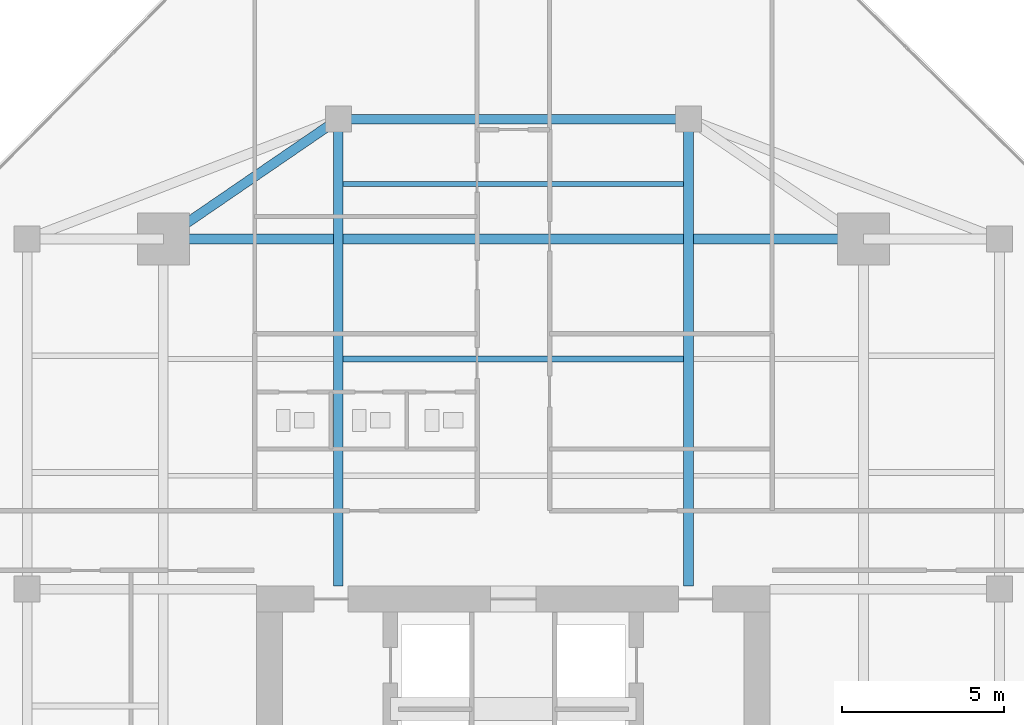
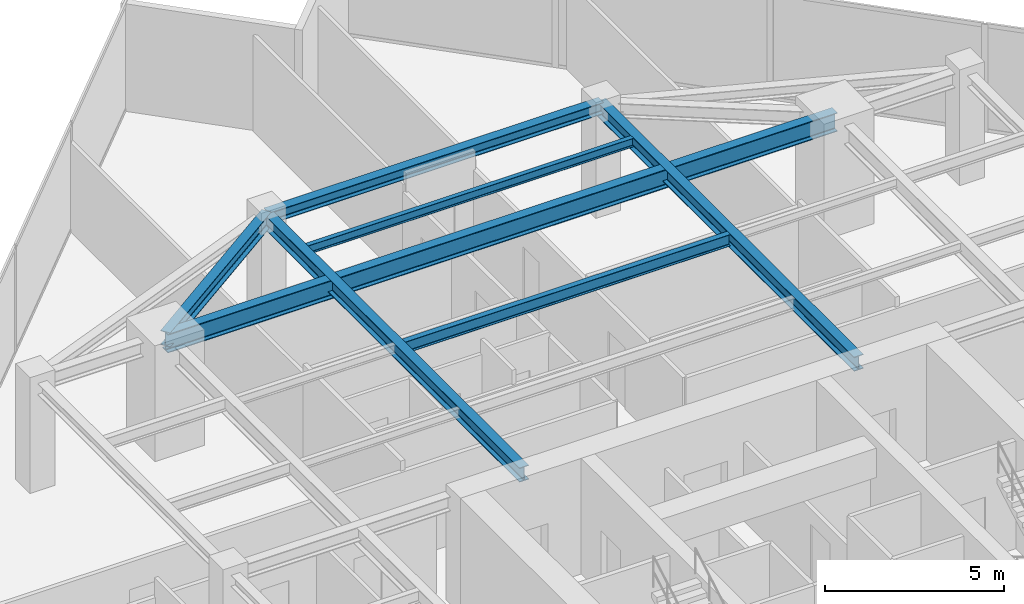
# One storey, part 15 of 24: 7 beams.
"""IFC4 building model written with IfcOpenShell, lengths in metres."""

from ifc_helpers import new_model, si_unit, direction, frame, origin, origin_2d, place, context, subcontext, project, spatial, i_section, extrude, source, transform, mapped, material, material_profile, profile_set, type_object, type_shapes, element, save


model = new_model("IFC4")

# Units and contexts
model_context = context("Model", 3, precision=1e-05, world=origin(), true_north=direction((0.0, 1.0)))
body_context = subcontext(model_context, "Body", "Model", "MODEL_VIEW")
ifc_project = project(units=[si_unit("LENGTHUNIT", "METRE"), si_unit("AREAUNIT", "SQUARE_METRE"), si_unit("VOLUMEUNIT", "CUBIC_METRE"), si_unit("PLANEANGLEUNIT", "RADIAN"), si_unit("MASSUNIT", "GRAM", prefix="KILO")], contexts=[model_context])

# Site, building, storey
site_placement = place(None, origin())
site = spatial("IfcSite", under=ifc_project, at=site_placement, CompositionType="ELEMENT")
building_placement = place(site_placement, origin())
building = spatial("IfcBuilding", under=site, at=building_placement, Name="Krantzveldt Concourse Tower", CompositionType="ELEMENT")
storey_placement = place(building_placement, frame((0.0, 0.0, 231.0)))
storey = spatial("IfcBuildingStorey", under=building, at=storey_placement, Name="L56", CompositionType="ELEMENT", Elevation=231.0)

# Beams
ifc_material = material(Name="Steel S355JR", Category="steel")
ifc_material_profile_1 = material_profile(ifc_material, i_section(OverallWidth=0.300048828125, OverallDepth=0.639892578125, WebThickness=0.013427734375, FlangeThickness=0.02587890625, FilletRadius=0.027099609375, at=origin_2d()), Name="Steel S355JR", Category="steel")
ifc_profile_set_1 = profile_set([ifc_material_profile_1], Name="Steel S355JR - HEA 650")
beam_type_1 = type_object("IfcBeamType", Name="BM-B-HEA650", PredefinedType="BEAM", material=ifc_profile_set_1)
shared_shape_1 = source(origin(), body_context, "Body", "SweptSolid", [
    extrude(i_section(OverallWidth=0.300048828125, OverallDepth=0.639892578125, WebThickness=0.013427734375, FlangeThickness=0.02587890625, FilletRadius=0.027099609375, at=origin_2d()), origin(), (0.0, 0.0, 1.0), 21.60009765625),
])
type_shapes(beam_type_1, [shared_shape_1])
beam_1_placement = place(storey_placement, frame((25.199951171875, 37.5, 3.35009765625), z_axis=(1.0, 0.0, 0.0), x_axis=(0.0, 1.0, 0.0)))
element("IfcBeam", 1, at=beam_1_placement, inside=storey, type_object=beam_type_1, Name="L56 Tower Girder BG-MN", PredefinedType="BEAM", context=body_context, shape_type="MappedRepresentation", body=[
    mapped(shared_shape_1, transform((0.0, 0.0, 0.0), x_axis=(1.0, 0.0, 0.0), y_axis=(0.0, 1.0, 0.0), z_axis=(0.0, 0.0, 1.0), scale=1.0)),
])
ifc_material_profile_2 = material_profile(ifc_material, i_section(OverallWidth=0.179931640625, OverallDepth=0.39990234375, WebThickness=0.008544921875, FlangeThickness=0.013427734375, FilletRadius=0.02099609375, at=origin_2d()), Name="Steel S355JR", Category="steel")
ifc_profile_set_2 = profile_set([ifc_material_profile_2], Name="Steel S355JR - IPE 400")
beam_type_2 = type_object("IfcBeamType", Name="BM-J-IPE400", PredefinedType="JOIST", material=ifc_profile_set_2)
shared_shape_2 = source(origin(), body_context, "Body", "SweptSolid", [
    extrude(i_section(OverallWidth=0.179931640625, OverallDepth=0.39990234375, WebThickness=0.008544921875, FlangeThickness=0.013427734375, FilletRadius=0.02099609375, at=origin_2d()), origin(), (0.0, 0.0, 1.0), 10.5),
])
type_shapes(beam_type_2, [shared_shape_2])
beam_2_placement = place(storey_placement, frame((30.75, 33.800048828125, 3.469970703125), z_axis=(1.0, 0.0, 0.0), x_axis=(0.0, 1.0, 0.0)))
element("IfcBeam", 2, at=beam_2_placement, inside=storey, type_object=beam_type_2, Name="L56 Secondary Floor Joist JN-C2", PredefinedType="JOIST", context=body_context, shape_type="MappedRepresentation", body=[
    mapped(shared_shape_2, transform((0.0, 0.0, 0.0), x_axis=(1.0, 0.0, 0.0), y_axis=(0.0, 1.0, 0.0), z_axis=(0.0, 0.0, 1.0), scale=1.0)),
])
ifc_material_profile_3 = material_profile(ifc_material, i_section(OverallWidth=0.300048828125, OverallDepth=0.389892578125, WebThickness=0.010986328125, FlangeThickness=0.01904296875, FilletRadius=0.027099609375, at=origin_2d()), Name="Steel S355JR", Category="steel")
ifc_profile_set_3 = profile_set([ifc_material_profile_3], Name="Steel S355JR - HEA 400")
beam_type_3 = type_object("IfcBeamType", Name="BM-SP-HEA400", PredefinedType="SPANDREL", material=ifc_profile_set_3)
shared_shape_3 = source(origin(), body_context, "Body", "SweptSolid", [
    extrude(i_section(OverallWidth=0.300048828125, OverallDepth=0.389892578125, WebThickness=0.010986328125, FlangeThickness=0.01904296875, FilletRadius=0.027099609375, at=origin_2d()), origin(), (0.0, 0.0, 1.0), 10.7998046875),
])
type_shapes(beam_type_3, [shared_shape_3])
beam_3_placement = place(storey_placement, frame((30.60009765625, 41.199951171875, 3.47509765625), z_axis=(1.0, 0.0, 0.0), x_axis=(0.0, 1.0, 0.0)))
element("IfcBeam", 3, at=beam_3_placement, inside=storey, type_object=beam_type_3, Name="L56 Tower Girder SP-R04", PredefinedType="SPANDREL", context=body_context, shape_type="MappedRepresentation", body=[
    mapped(shared_shape_3, transform((0.0, 0.0, 0.0), x_axis=(1.0, 0.0, 0.0), y_axis=(0.0, 1.0, 0.0), z_axis=(0.0, 0.0, 1.0), scale=1.0)),
])
ifc_material_profile_4 = material_profile(ifc_material, i_section(OverallWidth=0.300048828125, OverallDepth=0.489990234375, WebThickness=0.011962890625, FlangeThickness=0.02294921875, FilletRadius=0.027099609375, at=origin_2d()), Name="Steel S355JR", Category="steel")
ifc_profile_set_4 = profile_set([ifc_material_profile_4], Name="Steel S355JR - HEA 500")
beam_type_4 = type_object("IfcBeamType", Name="BM-B-HEA500", PredefinedType="BEAM", material=ifc_profile_set_4)
shared_shape_4 = source(origin(), body_context, "Body", "SweptSolid", [
    extrude(i_section(OverallWidth=0.300048828125, OverallDepth=0.489990234375, WebThickness=0.011962890625, FlangeThickness=0.02294921875, FilletRadius=0.027099609375, at=origin_2d()), origin(), (0.0, 0.0, 1.0), 14.39990234375),
])
for number, where, z_axis, x_axis, name in (
    (4, (30.60009765625, 26.800048828125, 3.425048828125), (0.0, 1.0, 0.0), (-1.0, 0.0, 0.0), "L56 Tower Girder BG-CNW"),
    (5, (41.39990234375, 26.800048828125, 3.425048828125), (0.0, 1.0, 0.0), (-1.0, 0.0, 0.0), "L56 Tower Girder BG-CNE"),
):
    element("IfcBeam", number, at=place(storey_placement, frame(where, z_axis=z_axis, x_axis=x_axis)), inside=storey, type_object=beam_type_4, Name=name, PredefinedType="BEAM", context=body_context, shape_type="MappedRepresentation", body=[
        mapped(shared_shape_4, transform((0.0, 0.0, 0.0), x_axis=(1.0, 0.0, 0.0), y_axis=(0.0, 1.0, 0.0), z_axis=(0.0, 0.0, 1.0), scale=1.0)),
    ])
shared_shape_5 = source(origin(), body_context, "Body", "SweptSolid", [
    extrude(i_section(OverallWidth=0.300048828125, OverallDepth=0.489990234375, WebThickness=0.011962890625, FlangeThickness=0.02294921875, FilletRadius=0.027099609375, at=origin_2d()), origin(), (0.0, 0.0, 1.0), 6.546142578125),
])
type_shapes(beam_type_4, [shared_shape_4, shared_shape_5])
beam_4_placement = place(storey_placement, frame((25.199951171875, 37.5, 3.425048828125), z_axis=(0.824942999484, 0.565215930068, 0.0), x_axis=(-0.565215930068, 0.824942999484, 0.0)))
element("IfcBeam", 6, at=beam_4_placement, inside=storey, type_object=beam_type_4, Name="L56 Tower Girder BR-RL4", PredefinedType="BEAM", context=body_context, shape_type="MappedRepresentation", body=[
    mapped(shared_shape_5, transform((0.0, 0.0, 0.0), x_axis=(1.0, 0.0, 0.0), y_axis=(0.0, 1.0, 0.0), z_axis=(0.0, 0.0, 1.0), scale=1.0)),
])
ifc_material_profile_5 = material_profile(ifc_material, i_section(OverallWidth=0.14990234375, OverallDepth=0.300048828125, WebThickness=0.007080078125, FlangeThickness=0.0107421875, FilletRadius=0.014892578125, at=origin_2d()), Name="Steel S355JR", Category="steel")
ifc_profile_set_5 = profile_set([ifc_material_profile_5], Name="Steel S355JR - IPE 300")
beam_type_5 = type_object("IfcBeamType", Name="BM-J-IPE300", PredefinedType="JOIST", material=ifc_profile_set_5)
shared_shape_6 = source(origin(), body_context, "Body", "SweptSolid", [
    extrude(i_section(OverallWidth=0.14990234375, OverallDepth=0.300048828125, WebThickness=0.007080078125, FlangeThickness=0.0107421875, FilletRadius=0.014892578125, at=origin_2d()), origin(), (0.0, 0.0, 1.0), 10.5),
])
type_shapes(beam_type_5, [shared_shape_6])
beam_5_placement = place(storey_placement, frame((30.75, 39.199951171875, 3.52001953125), z_axis=(1.0, 0.0, 0.0), x_axis=(0.0, 1.0, 0.0)))
element("IfcBeam", 7, at=beam_5_placement, inside=storey, type_object=beam_type_5, Name="L56 Secondary Floor Joist JN-C3", PredefinedType="JOIST", context=body_context, shape_type="MappedRepresentation", body=[
    mapped(shared_shape_6, transform((0.0, 0.0, 0.0), x_axis=(1.0, 0.0, 0.0), y_axis=(0.0, 1.0, 0.0), z_axis=(0.0, 0.0, 1.0), scale=1.0)),
])

save(model, "model.ifc")
